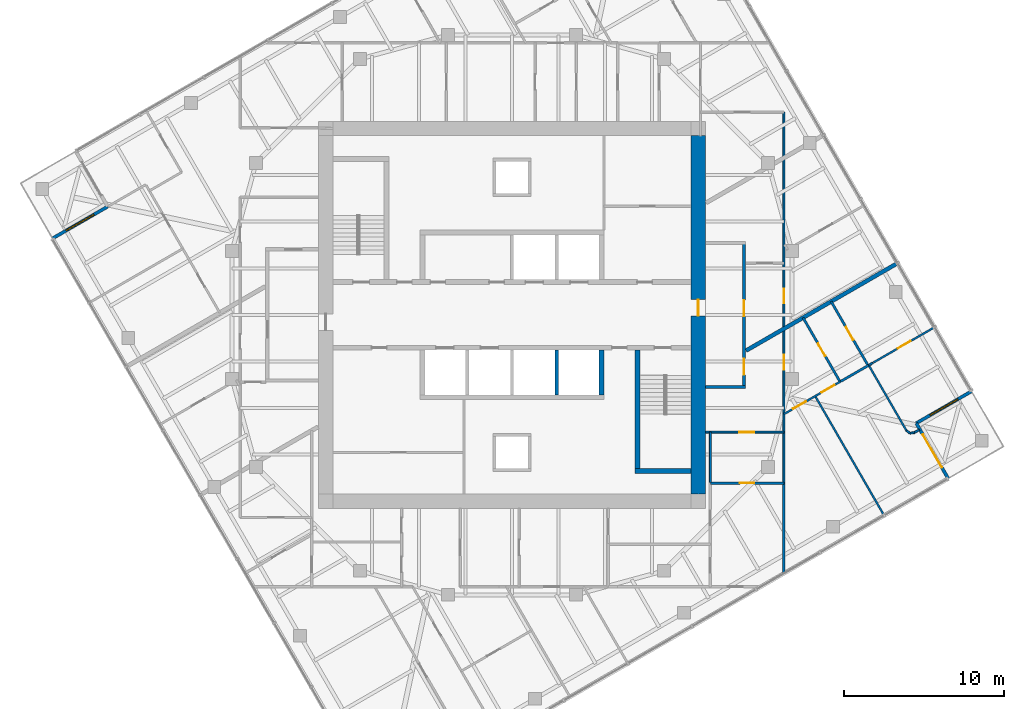
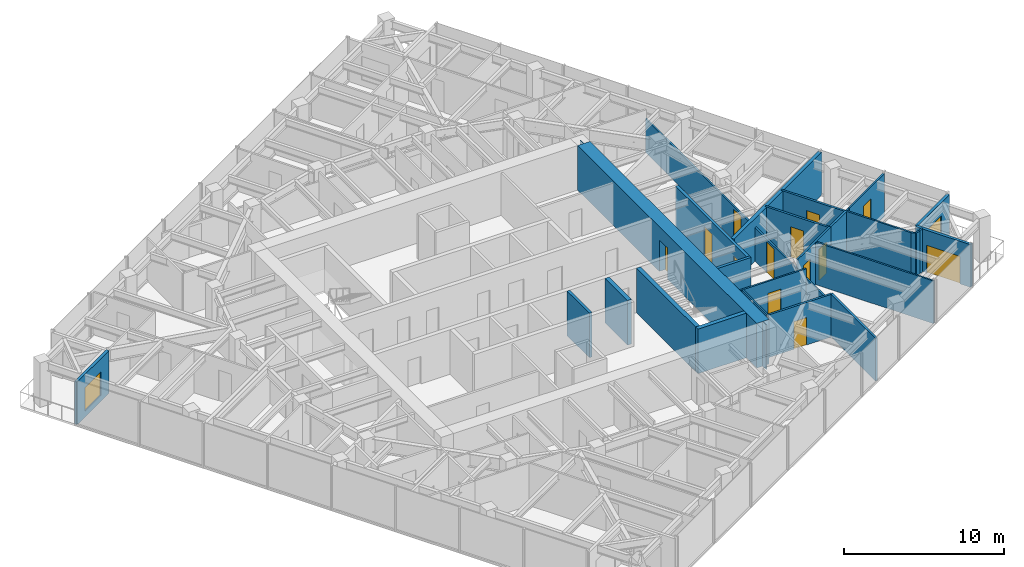
# One storey, part 9 of 12: 27 walls, 13 doors, 2 windows, 15 openings.
"""IFC4 building model written with IfcOpenShell, lengths in metres."""

from ifc_helpers import new_model, si_unit, direction, frame, frame_2d, origin, place, context, subcontext, project, spatial, polyline, rectangle, outline, extrude, material, layer, layer_set, type_object, element, fill, save


model = new_model("IFC4")

# Units and contexts
model_context = context("Model", 3, precision=1e-05, world=origin(), true_north=direction((0.0, 1.0)))
body_context = subcontext(model_context, "Body", "Model", "MODEL_VIEW")
ifc_project = project(units=[si_unit("LENGTHUNIT", "METRE"), si_unit("AREAUNIT", "SQUARE_METRE"), si_unit("VOLUMEUNIT", "CUBIC_METRE"), si_unit("PLANEANGLEUNIT", "RADIAN"), si_unit("MASSUNIT", "GRAM", prefix="KILO")], contexts=[model_context])

# Site, building, storey
site_placement = place(None, origin())
site = spatial("IfcSite", under=ifc_project, at=site_placement, CompositionType="ELEMENT")
building_placement = place(site_placement, origin())
building = spatial("IfcBuilding", under=site, at=building_placement, Name="Torsade Residences", CompositionType="ELEMENT")
storey_placement = place(building_placement, frame((0.0, 0.0, 211.60009765625)))
storey = spatial("IfcBuildingStorey", under=building, at=storey_placement, Name="L58", CompositionType="ELEMENT", Elevation=211.60009765625)

# Walls
ifc_material_1 = material(Name="Concrete 80 MPa", Category="concrete")
ifc_layer_1 = layer(ifc_material_1, 0.300048828125)
ifc_layer_set_1 = layer_set([ifc_layer_1], Name="Concrete 80 MPa")
wall_type_1 = type_object("IfcWallType", Name="CORE INTERNAL WALL 300", PredefinedType="SHEAR", material=ifc_layer_set_1)
wall_1_placement = place(storey_placement, frame((45.60009765625, 27.800048828125, 0.0), z_axis=(0.0, 0.0, 1.0), x_axis=(0.0, -1.0, 0.0)))
element("IfcWall", 1, at=wall_1_placement, inside=storey, type_object=wall_type_1, Name="Core wall DS0 L58", PredefinedType="SHEAR", context=body_context, shape_type="SweptSolid", body=[
    extrude(rectangle(XDim=2.800048828125, YDim=0.300048828125, at=frame_2d((1.39990234375, 0.0))), origin(), (0.0, 0.0, 1.0), 3.39990234375),
])
wall_2_placement = place(storey_placement, frame((47.85009765625, 27.800048828125, 0.0), z_axis=(0.0, 0.0, 1.0), x_axis=(0.0, -1.0, 0.0)))
element("IfcWall", 2, at=wall_2_placement, inside=storey, type_object=wall_type_1, Name="Core wall ST2W L58", PredefinedType="SHEAR", context=body_context, shape_type="SweptSolid", body=[
    extrude(rectangle(XDim=7.699951171875, YDim=0.300048828125, at=frame_2d((3.85009765625, 0.0))), origin(), (0.0, 0.0, 1.0), 3.39990234375),
])
wall_3_placement = place(storey_placement, frame((51.199951171875, 20.25, 0.0), z_axis=(0.0, 0.0, 1.0), x_axis=(-1.0, 0.0, 0.0)))
element("IfcWall", 3, at=wall_3_placement, inside=storey, type_object=wall_type_1, Name="Core wall ST2S L58", PredefinedType="SHEAR", context=body_context, shape_type="SweptSolid", body=[
    extrude(rectangle(XDim=3.5, YDim=0.300048828125, at=frame_2d((1.75, 0.0))), origin(), (0.0, 0.0, 1.0), 3.39990234375),
])

# Wall, opening, door
ifc_material_2 = material(Name="Concrete 80 MPa", Category="concrete")
ifc_layer_2 = layer(ifc_material_2, 0.89990234375)
ifc_layer_set_2 = layer_set([ifc_layer_2], Name="Concrete 80 MPa")
wall_type_2 = type_object("IfcWallType", Name="CORE WALL 900", PredefinedType="SHEAR", material=ifc_layer_set_2)
wall_4_placement = place(storey_placement, frame((51.64990234375, 18.800048828125, 0.0), z_axis=(0.0, 0.0, 1.0), x_axis=(0.0, 1.0, 0.0)))
wall_4 = element("IfcWall", 4, at=wall_4_placement, inside=storey, type_object=wall_type_2, Name="Core wall E L58", PredefinedType="SHEAR", context=body_context, shape_type="SweptSolid", body=[
    extrude(outline(polyline([(0.0, -0.449951171875), (22.39990234375, -0.449951171875), (22.39990234375, -0.02490234375), (22.849853515625, -0.02490234375), (22.849853515625, 0.02490234375), (22.39990234375, 0.02490234375), (22.39990234375, 0.449951171875), (0.0, 0.449951171875), (0.0, 0.02490234375), (-0.449951171875, 0.02490234375), (-0.449951171875, -0.02490234375), (0.0, -0.02490234375), (0.0, -0.449951171875)])), origin(), (0.0, 0.0, 1.0), 3.39990234375),
])
opening_1_placement = place(wall_4_placement, frame((11.139892578125, 0.0, 0.0)))
opening_1 = element("IfcOpeningElement", 5, at=opening_1_placement, cuts=wall_4, Name="Opening D04", PredefinedType="OPENING", context=body_context, shape_type="SweptSolid", body=[
    extrude(rectangle(XDim=1.02001953125, YDim=2.39990234375, at=frame_2d((0.510009765625, 1.199951171875))), frame((0.0, 0.4599609375, 0.0), z_axis=(0.0, -1.0, 0.0), x_axis=(1.0, 0.0, 0.0)), (0.0, 0.0, 1.0), 0.919921875),
])
ifc_material_3 = material(Name="Steel-framed fire door", Category="steel")
door_type_1 = type_object("IfcDoorType", Name="LOBBY SMOKE DOOR 1020x2400", OperationType="NOTDEFINED", PredefinedType="DOOR", material=ifc_material_3)
door_1_placement = place(opening_1_placement, origin())
door_1 = element("IfcDoor", 6, at=door_1_placement, inside=storey, type_object=door_type_1, Name="Lift lobby door E L58", OperationType="SINGLE_SWING_LEFT", OverallHeight=2.39990234375, OverallWidth=1.02001953125, PredefinedType="DOOR", context=body_context, shape_type="SweptSolid", body=[
    extrude(rectangle(XDim=1.02001953125, YDim=2.39990234375, at=frame_2d((0.510009765625, 1.199951171875))), frame((0.0, 0.02490234375, 0.0), z_axis=(0.0, -1.0, 0.0), x_axis=(1.0, 0.0, 0.0)), (0.0, 0.0, 1.0), 0.050048828125),
])
fill(opening_1, door_1)

# Wall, openings, doors
ifc_material_4 = material(Name="Plasterboard on steel stud", Category="steel")
ifc_layer_3 = layer(ifc_material_4, 0.199951171875)
ifc_layer_set_3 = layer_set([ifc_layer_3], Name="Plasterboard on steel stud")
wall_type_3 = type_object("IfcWallType", Name="CORRIDOR WALL 200", PredefinedType="PARTITIONING", material=ifc_layer_set_3)
wall_5_placement = place(storey_placement, frame((54.5, 25.5, 0.0), z_axis=(0.0, 0.0, 1.0), x_axis=(0.0, 1.0, 0.0)))
wall_5 = element("IfcWall", 7, at=wall_5_placement, inside=storey, type_object=wall_type_3, Name="Corridor wall L58", PredefinedType="PARTITIONING", context=body_context, shape_type="SweptSolid", body=[
    extrude(rectangle(XDim=9.0, YDim=0.199951171875, at=frame_2d((4.5, 0.0))), origin(), (0.0, 0.0, 1.0), 3.25),
])
opening_2_placement = place(wall_5_placement, frame((4.405517578125, 0.0, 0.0)))
opening_2 = element("IfcOpeningElement", 8, at=opening_2_placement, cuts=wall_5, Name="Opening D01", PredefinedType="OPENING", context=body_context, shape_type="SweptSolid", body=[
    extrude(rectangle(XDim=1.02001953125, YDim=2.340087890625, at=frame_2d((0.510009765625, 1.169921875))), frame((0.0, 0.10986328125, 0.0), z_axis=(0.0, -1.0, 0.0), x_axis=(1.0, 0.0, 0.0)), (0.0, 0.0, 1.0), 0.219970703125),
])
opening_3_placement = place(wall_5_placement, frame((0.750732421875, 0.0, 0.0)))
opening_3 = element("IfcOpeningElement", 9, at=opening_3_placement, cuts=wall_5, Name="Opening D01", PredefinedType="OPENING", context=body_context, shape_type="SweptSolid", body=[
    extrude(rectangle(XDim=1.02001953125, YDim=2.340087890625, at=frame_2d((0.510009765625, 1.169921875))), frame((0.0, 0.10986328125, 0.0), z_axis=(0.0, -1.0, 0.0), x_axis=(1.0, 0.0, 0.0)), (0.0, 0.0, 1.0), 0.219970703125),
])
ifc_material_5 = material(Name="Solid-core timber fire door", Category="wood")
door_type_2 = type_object("IfcDoorType", Name="APARTMENT ENTRY DOOR 1020x2340", OperationType="NOTDEFINED", PredefinedType="DOOR", material=ifc_material_5)
door_2_placement = place(opening_2_placement, origin())
door_2 = element("IfcDoor", 10, at=door_2_placement, inside=storey, type_object=door_type_2, Name="Door Residential corridor to Kitchen and dining", OperationType="SINGLE_SWING_LEFT", OverallHeight=2.340087890625, OverallWidth=1.02001953125, PredefinedType="DOOR", context=body_context, shape_type="SweptSolid", body=[
    extrude(rectangle(XDim=1.02001953125, YDim=2.340087890625, at=frame_2d((0.510009765625, 1.169921875))), frame((0.0, 0.02490234375, 0.0), z_axis=(0.0, -1.0, 0.0), x_axis=(1.0, 0.0, 0.0)), (0.0, 0.0, 1.0), 0.050048828125),
])
fill(opening_2, door_2)
door_3_placement = place(opening_3_placement, origin())
door_3 = element("IfcDoor", 11, at=door_3_placement, inside=storey, type_object=door_type_2, Name="Door Residential corridor to Kitchen and dining", OperationType="SINGLE_SWING_LEFT", OverallHeight=2.340087890625, OverallWidth=1.02001953125, PredefinedType="DOOR", context=body_context, shape_type="SweptSolid", body=[
    extrude(rectangle(XDim=1.02001953125, YDim=2.340087890625, at=frame_2d((0.510009765625, 1.169921875))), frame((0.0, 0.02490234375, 0.0), z_axis=(0.0, -1.0, 0.0), x_axis=(1.0, 0.0, 0.0)), (0.0, 0.0, 1.0), 0.050048828125),
])
fill(opening_3, door_3)

# Walls
wall_6_placement = place(storey_placement, frame((52.10009765625, 25.5, 0.0), z_axis=(0.0, 0.0, 1.0), x_axis=(1.0, 0.0, 0.0)))
element("IfcWall", 12, at=wall_6_placement, inside=storey, type_object=wall_type_3, Name="Corridor wall L58", PredefinedType="PARTITIONING", context=body_context, shape_type="SweptSolid", body=[
    extrude(rectangle(XDim=2.5, YDim=0.199951171875, at=frame_2d((1.25, 0.0))), origin(), (0.0, 0.0, 1.0), 3.25),
])
ifc_material_6 = material(Name="Reinforced blockwork", Category="masonry")
ifc_layer_4 = layer(ifc_material_6, 0.199951171875)
ifc_layer_set_4 = layer_set([ifc_layer_4], Name="Reinforced blockwork")
wall_type_4 = type_object("IfcWallType", Name="LIFT SHAFT DIVIDING WALL 200", PredefinedType="SOLIDWALL", material=ifc_layer_set_4)
wall_7_placement = place(storey_placement, frame((42.800048828125, 27.800048828125, 0.0), z_axis=(0.0, 0.0, 1.0), x_axis=(0.0, -1.0, 0.0)))
element("IfcWall", 13, at=wall_7_placement, inside=storey, type_object=wall_type_4, Name="Core wall DS1 L58", PredefinedType="SOLIDWALL", context=body_context, shape_type="SweptSolid", body=[
    extrude(rectangle(XDim=2.800048828125, YDim=0.199951171875, at=frame_2d((1.39990234375, 0.0))), origin(), (0.0, 0.0, 1.0), 3.39990234375),
])

# Wall, opening, door
ifc_material_7 = material(Name="Plasterboard on steel stud", Category="steel")
ifc_layer_5 = layer(ifc_material_7, 0.1201171875)
ifc_layer_set_5 = layer_set([ifc_layer_5], Name="Plasterboard on steel stud")
wall_type_5 = type_object("IfcWallType", Name="PARTITION 120", PredefinedType="PARTITIONING", material=ifc_layer_set_5)
wall_8_placement = place(storey_placement, frame((57.0, 22.66650390625, 0.0), z_axis=(0.0, 0.0, 1.0), x_axis=(-1.0, 0.0, 0.0)))
wall_8 = element("IfcWall", 14, at=wall_8_placement, inside=storey, type_object=wall_type_5, Name="Partition L58", PredefinedType="PARTITIONING", context=body_context, shape_type="SweptSolid", body=[
    extrude(rectangle(XDim=4.89990234375, YDim=0.1201171875, at=frame_2d((2.449951171875, 0.0))), origin(), (0.0, 0.0, 1.0), 3.25),
])
opening_4_placement = place(wall_8_placement, frame((1.865966796875, 0.0, 0.0)))
opening_4 = element("IfcOpeningElement", 15, at=opening_4_placement, cuts=wall_8, Name="Opening D02", PredefinedType="OPENING", context=body_context, shape_type="SweptSolid", body=[
    extrude(rectangle(XDim=0.919921875, YDim=2.340087890625, at=frame_2d((0.4599609375, 1.169921875))), frame((0.0, 0.070068359375, 0.0), z_axis=(0.0, -1.0, 0.0), x_axis=(1.0, 0.0, 0.0)), (0.0, 0.0, 1.0), 0.14013671875),
])
ifc_material_8 = material(Name="Hollow-core timber door", Category="wood")
door_type_3 = type_object("IfcDoorType", Name="INTERNAL DOOR 920x2340", OperationType="NOTDEFINED", PredefinedType="DOOR", material=ifc_material_8)
door_4_placement = place(opening_4_placement, origin())
door_4 = element("IfcDoor", 16, at=door_4_placement, inside=storey, type_object=door_type_3, Name="Door Kitchen and dining to Walk-in robe", OperationType="SINGLE_SWING_RIGHT", OverallHeight=2.340087890625, OverallWidth=0.919921875, PredefinedType="DOOR", context=body_context, shape_type="SweptSolid", body=[
    extrude(rectangle(XDim=0.919921875, YDim=2.340087890625, at=frame_2d((0.4599609375, 1.169921875))), frame((0.0, 0.02490234375, 0.0), z_axis=(0.0, -1.0, 0.0), x_axis=(1.0, 0.0, 0.0)), (0.0, 0.0, 1.0), 0.050048828125),
])
fill(opening_4, door_4)

# Wall, openings, doors
wall_9_placement = place(storey_placement, frame((57.0, 42.67578125, 0.0), z_axis=(0.0, 0.0, 1.0), x_axis=(0.0, -1.0, 0.0)))
wall_9 = element("IfcWall", 17, at=wall_9_placement, inside=storey, type_object=wall_type_5, Name="Partition L58", PredefinedType="PARTITIONING", context=body_context, shape_type="SweptSolid", body=[
    extrude(rectangle(XDim=23.189697265625, YDim=0.1201171875, at=frame_2d((11.5947265625, 0.0))), origin(), (0.0, 0.0, 1.0), 2.5498046875),
])
opening_5_placement = place(wall_9_placement, frame((11.0302734375, 0.0, 0.0)))
opening_5 = element("IfcOpeningElement", 18, at=opening_5_placement, cuts=wall_9, Name="Opening D02", PredefinedType="OPENING", context=body_context, shape_type="SweptSolid", body=[
    extrude(rectangle(XDim=0.919921875, YDim=2.340087890625, at=frame_2d((0.4599609375, 1.169921875))), frame((0.0, 0.070068359375, 0.0), z_axis=(0.0, -1.0, 0.0), x_axis=(1.0, 0.0, 0.0)), (0.0, 0.0, 1.0), 0.14013671875),
])
opening_6_placement = place(wall_9_placement, frame((15.180908203125, 0.0, 0.0)))
opening_6 = element("IfcOpeningElement", 19, at=opening_6_placement, cuts=wall_9, Name="Opening D02", PredefinedType="OPENING", context=body_context, shape_type="SweptSolid", body=[
    extrude(rectangle(XDim=0.919921875, YDim=2.340087890625, at=frame_2d((0.4599609375, 1.169921875))), frame((0.0, 0.070068359375, 0.0), z_axis=(0.0, -1.0, 0.0), x_axis=(1.0, 0.0, 0.0)), (0.0, 0.0, 1.0), 0.14013671875),
])
door_5_placement = place(opening_5_placement, origin())
door_5 = element("IfcDoor", 20, at=door_5_placement, inside=storey, type_object=door_type_3, Name="Door Kitchen and dining to Living room", OperationType="SINGLE_SWING_RIGHT", OverallHeight=2.340087890625, OverallWidth=0.919921875, PredefinedType="DOOR", context=body_context, shape_type="SweptSolid", body=[
    extrude(rectangle(XDim=0.919921875, YDim=2.340087890625, at=frame_2d((0.4599609375, 1.169921875))), frame((0.0, 0.02490234375, 0.0), z_axis=(0.0, -1.0, 0.0), x_axis=(1.0, 0.0, 0.0)), (0.0, 0.0, 1.0), 0.050048828125),
])
fill(opening_5, door_5)
door_6_placement = place(opening_6_placement, origin())
door_6 = element("IfcDoor", 21, at=door_6_placement, inside=storey, type_object=door_type_3, Name="Door Kitchen and dining to Walk-in robe 3", OperationType="SINGLE_SWING_RIGHT", OverallHeight=2.340087890625, OverallWidth=0.919921875, PredefinedType="DOOR", context=body_context, shape_type="SweptSolid", body=[
    extrude(rectangle(XDim=0.919921875, YDim=2.340087890625, at=frame_2d((0.4599609375, 1.169921875))), frame((0.0, 0.02490234375, 0.0), z_axis=(0.0, -1.0, 0.0), x_axis=(1.0, 0.0, 0.0)), (0.0, 0.0, 1.0), 0.050048828125),
])
fill(opening_6, door_6)

# Walls
wall_10_placement = place(storey_placement, frame((52.398193359375, 22.66650390625, 0.0), z_axis=(0.0, 0.0, 1.0), x_axis=(0.0, -1.0, 0.0)))
element("IfcWall", 22, at=wall_10_placement, inside=storey, type_object=wall_type_5, Name="Partition L58", PredefinedType="PARTITIONING", context=body_context, shape_type="SweptSolid", body=[
    extrude(rectangle(XDim=3.130615234375, YDim=0.1201171875, at=frame_2d((1.5654296875, 0.0))), origin(), (0.0, 0.0, 1.0), 3.25),
])
wall_11_placement = place(storey_placement, frame((63.24609375, 17.486572265625, 0.0), z_axis=(0.0, 0.0, 1.0), x_axis=(-0.49999898161, 0.866025991751, 0.0)))
element("IfcWall", 23, at=wall_11_placement, inside=storey, type_object=wall_type_5, Name="Partition L58", PredefinedType="PARTITIONING", context=body_context, shape_type="SweptSolid", body=[
    extrude(rectangle(XDim=8.5849609375, YDim=0.1201171875, at=frame_2d((4.29248046875, 0.0))), origin(), (0.0, 0.0, 1.0), 3.25),
])

# Wall, openings, doors
wall_12_placement = place(storey_placement, frame((57.0, 23.79345703125, 0.0), z_axis=(0.0, 0.0, 1.0), x_axis=(0.866007146345, 0.50003162148, 0.0)))
wall_12 = element("IfcWall", 24, at=wall_12_placement, inside=storey, type_object=wall_type_5, Name="Partition L58", PredefinedType="PARTITIONING", context=body_context, shape_type="SweptSolid", body=[
    extrude(rectangle(XDim=4.101318359375, YDim=0.1201171875, at=frame_2d((2.05078125, 0.0))), origin(), (0.0, 0.0, 1.0), 3.25),
])
opening_7_placement = place(wall_12_placement, frame((0.66796875, 0.0, 0.0)))
opening_7 = element("IfcOpeningElement", 25, at=opening_7_placement, cuts=wall_12, Name="Opening D02", PredefinedType="OPENING", context=body_context, shape_type="SweptSolid", body=[
    extrude(rectangle(XDim=0.919921875, YDim=2.340087890625, at=frame_2d((0.4599609375, 1.169921875))), frame((0.0, 0.070068359375, 0.0), z_axis=(0.0, -1.0, 0.0), x_axis=(1.0, 0.0, 0.0)), (0.0, 0.0, 1.0), 0.14013671875),
])
opening_8_placement = place(wall_12_placement, frame((2.718505859375, 0.0, 0.0)))
opening_8 = element("IfcOpeningElement", 26, at=opening_8_placement, cuts=wall_12, Name="Opening D02", PredefinedType="OPENING", context=body_context, shape_type="SweptSolid", body=[
    extrude(rectangle(XDim=0.919921875, YDim=2.340087890625, at=frame_2d((0.4599609375, 1.169921875))), frame((0.0, 0.070068359375, 0.0), z_axis=(0.0, -1.0, 0.0), x_axis=(1.0, 0.0, 0.0)), (0.0, 0.0, 1.0), 0.14013671875),
])
door_7_placement = place(opening_7_placement, origin())
door_7 = element("IfcDoor", 27, at=door_7_placement, inside=storey, type_object=door_type_3, Name="Door Walk-in robe 3 to Bedroom 2", OperationType="SINGLE_SWING_LEFT", OverallHeight=2.340087890625, OverallWidth=0.919921875, PredefinedType="DOOR", context=body_context, shape_type="SweptSolid", body=[
    extrude(rectangle(XDim=0.919921875, YDim=2.340087890625, at=frame_2d((0.4599609375, 1.169921875))), frame((0.0, 0.02490234375, 0.0), z_axis=(0.0, -1.0, 0.0), x_axis=(1.0, 0.0, 0.0)), (0.0, 0.0, 1.0), 0.050048828125),
])
fill(opening_7, door_7)
door_8_placement = place(opening_8_placement, origin())
door_8 = element("IfcDoor", 28, at=door_8_placement, inside=storey, type_object=door_type_3, Name="Door Walk-in robe 3 to Bedroom 1", OperationType="SINGLE_SWING_RIGHT", OverallHeight=2.340087890625, OverallWidth=0.919921875, PredefinedType="DOOR", context=body_context, shape_type="SweptSolid", body=[
    extrude(rectangle(XDim=0.919921875, YDim=2.340087890625, at=frame_2d((0.4599609375, 1.169921875))), frame((0.0, 0.02490234375, 0.0), z_axis=(0.0, -1.0, 0.0), x_axis=(1.0, 0.0, 0.0)), (0.0, 0.0, 1.0), 0.050048828125),
])
fill(opening_8, door_8)

# Walls
wall_13_placement = place(storey_placement, frame((62.298583984375, 26.8525390625, 0.0), z_axis=(0.0, 0.0, 1.0), x_axis=(0.500006955494, -0.866021387991, 0.0)))
element("IfcWall", 29, at=wall_13_placement, inside=storey, type_object=wall_type_5, Name="Partition L58", PredefinedType="PARTITIONING", context=body_context, shape_type="SweptSolid", body=[
    extrude(rectangle(XDim=4.70458984375, YDim=0.1201171875, at=frame_2d((2.352294921875, 0.0))), origin(), (0.0, 0.0, 1.0), 3.25),
])
wall_14_placement = place(storey_placement, frame((64.65087890625, 22.7783203125, 0.0), z_axis=(0.0, 0.0, 1.0), x_axis=(0.793231928283, -0.608919623557, 0.0)))
element("IfcWall", 30, at=wall_14_placement, inside=storey, type_object=wall_type_5, Name="Partition L58", PredefinedType="PARTITIONING", context=body_context, shape_type="SweptSolid", body=[
    extrude(rectangle(XDim=0.283447265625, YDim=0.1201171875, at=frame_2d((0.1416015625, 0.0))), origin(), (0.0, 0.0, 1.0), 3.25),
])
wall_15_placement = place(storey_placement, frame((64.875732421875, 22.605712890625, 0.0), z_axis=(0.0, 0.0, 1.0), x_axis=(0.991407364485, 0.130810693925, 0.0)))
element("IfcWall", 31, at=wall_15_placement, inside=storey, type_object=wall_type_5, Name="Partition L58", PredefinedType="PARTITIONING", context=body_context, shape_type="SweptSolid", body=[
    extrude(rectangle(XDim=0.28369140625, YDim=0.1201171875, at=frame_2d((0.141845703125, 0.0))), origin(), (0.0, 0.0, 1.0), 3.25),
])
wall_16_placement = place(storey_placement, frame((65.156982421875, 22.642822265625, 0.0), z_axis=(0.0, 0.0, 1.0), x_axis=(0.866058575552, 0.499942540411, 0.0)))
element("IfcWall", 32, at=wall_16_placement, inside=storey, type_object=wall_type_5, Name="Partition L58", PredefinedType="PARTITIONING", context=body_context, shape_type="SweptSolid", body=[
    extrude(rectangle(XDim=0.35205078125, YDim=0.1201171875, at=frame_2d((0.176025390625, 0.0))), origin(), (0.0, 0.0, 1.0), 3.25),
])
wall_17_placement = place(storey_placement, frame((62.5546875, 27.00048828125, 0.0), z_axis=(0.0, 0.0, 1.0), x_axis=(-0.865896854829, -0.500222587251, 0.0)))
element("IfcWall", 33, at=wall_17_placement, inside=storey, type_object=wall_type_5, Name="Partition L58", PredefinedType="PARTITIONING", context=body_context, shape_type="SweptSolid", body=[
    extrude(rectangle(XDim=0.295654296875, YDim=0.1201171875, at=frame_2d((0.14794921875, 0.0))), origin(), (0.0, 0.0, 1.0), 3.25),
])

# Wall, opening, door
wall_18_placement = place(storey_placement, frame((66.388427734375, 29.2138671875, 0.0), z_axis=(0.0, 0.0, 1.0), x_axis=(-0.866032173762, -0.499988273872, 0.0)))
wall_18 = element("IfcWall", 34, at=wall_18_placement, inside=storey, type_object=wall_type_5, Name="Partition L58", PredefinedType="PARTITIONING", context=body_context, shape_type="SweptSolid", body=[
    extrude(rectangle(XDim=4.37255859375, YDim=0.1201171875, at=frame_2d((2.186279296875, 0.0))), origin(), (0.0, 0.0, 1.0), 3.25),
])
opening_9_placement = place(wall_18_placement, frame((1.706298828125, 0.0, 0.0)))
opening_9 = element("IfcOpeningElement", 35, at=opening_9_placement, cuts=wall_18, Name="Opening D02", PredefinedType="OPENING", context=body_context, shape_type="SweptSolid", body=[
    extrude(rectangle(XDim=0.919921875, YDim=2.340087890625, at=frame_2d((0.4599609375, 1.169921875))), frame((0.0, 0.070068359375, 0.0), z_axis=(0.0, -1.0, 0.0), x_axis=(1.0, 0.0, 0.0)), (0.0, 0.0, 1.0), 0.14013671875),
])
door_9_placement = place(opening_9_placement, origin())
door_9 = element("IfcDoor", 36, at=door_9_placement, inside=storey, type_object=door_type_3, Name="Door Family room to Family room 2", OperationType="SINGLE_SWING_RIGHT", OverallHeight=2.340087890625, OverallWidth=0.919921875, PredefinedType="DOOR", context=body_context, shape_type="SweptSolid", body=[
    extrude(rectangle(XDim=0.919921875, YDim=2.340087890625, at=frame_2d((0.4599609375, 1.169921875))), frame((0.0, 0.02490234375, 0.0), z_axis=(0.0, -1.0, 0.0), x_axis=(1.0, 0.0, 0.0)), (0.0, 0.0, 1.0), 0.050048828125),
])
fill(opening_9, door_9)

# Wall
ifc_material_9 = material(Name="Masonry-lined stud party wall", Category="masonry")
ifc_layer_6 = layer(ifc_material_9, 0.25)
ifc_layer_set_6 = layer_set([ifc_layer_6], Name="Masonry-lined stud party wall")
wall_type_6 = type_object("IfcWallType", Name="PARTY WALL 250", PredefinedType="PARTITIONING", material=ifc_layer_set_6)
wall_19_placement = place(storey_placement, frame((64.110595703125, 33.2392578125, 0.0), z_axis=(0.0, 0.0, 1.0), x_axis=(-0.866024069551, -0.500002310952, 0.0)))
element("IfcWall", 37, at=wall_19_placement, inside=storey, type_object=wall_type_6, Name="Party wall L58", PredefinedType="PARTITIONING", context=body_context, shape_type="SweptSolid", body=[
    extrude(rectangle(XDim=10.94970703125, YDim=0.25, at=frame_2d((5.474853515625, 0.0))), origin(), (0.0, 0.0, 1.0), 3.25),
])

# Wall, opening, door
ifc_material_10 = material(Name="Reinforced blockwork", Category="masonry")
ifc_layer_7 = layer(ifc_material_10, 0.14990234375)
ifc_layer_set_7 = layer_set([ifc_layer_7], Name="Reinforced blockwork")
wall_type_7 = type_object("IfcWallType", Name="SERVICE ROOM WALL 150", PredefinedType="SOLIDWALL", material=ifc_layer_set_7)
wall_20_placement = place(storey_placement, frame((57.0, 19.486083984375, 0.0), z_axis=(0.0, 0.0, 1.0), x_axis=(-1.0, 0.0, 0.0)))
wall_20 = element("IfcWall", 38, at=wall_20_placement, inside=storey, type_object=wall_type_7, Name="Service room wall L58", PredefinedType="SOLIDWALL", context=body_context, shape_type="SweptSolid", body=[
    extrude(rectangle(XDim=4.601806640625, YDim=0.14990234375, at=frame_2d((2.30078125, 0.0))), origin(), (0.0, 0.0, 1.0), 3.25),
])
opening_10_placement = place(wall_20_placement, frame((1.8408203125, 0.0, 0.0)))
opening_10 = element("IfcOpeningElement", 39, at=opening_10_placement, cuts=wall_20, Name="Opening D02L", PredefinedType="OPENING", context=body_context, shape_type="SweptSolid", body=[
    extrude(rectangle(XDim=0.919921875, YDim=2.10009765625, at=frame_2d((0.4599609375, 1.050048828125))), frame((0.0, 0.0849609375, 0.0), z_axis=(0.0, -1.0, 0.0), x_axis=(1.0, 0.0, 0.0)), (0.0, 0.0, 1.0), 0.169921875),
])
ifc_material_11 = material(Name="Hollow-core timber door", Category="wood")
door_type_4 = type_object("IfcDoorType", Name="INTERNAL DOOR 920x2100", OperationType="NOTDEFINED", PredefinedType="DOOR", material=ifc_material_11)
door_10_placement = place(opening_10_placement, origin())
door_10 = element("IfcDoor", 40, at=door_10_placement, inside=storey, type_object=door_type_4, Name="Door Walk-in robe to Linen store 4", OperationType="SINGLE_SWING_RIGHT", OverallHeight=2.10009765625, OverallWidth=0.919921875, PredefinedType="DOOR", context=body_context, shape_type="SweptSolid", body=[
    extrude(rectangle(XDim=0.919921875, YDim=2.10009765625, at=frame_2d((0.4599609375, 1.050048828125))), frame((0.0, 0.02490234375, 0.0), z_axis=(0.0, -1.0, 0.0), x_axis=(1.0, 0.0, 0.0)), (0.0, 0.0, 1.0), 0.050048828125),
])
fill(opening_10, door_10)

# Walls
wall_21_placement = place(storey_placement, frame((60.5517578125, 25.84423828125, 0.0), z_axis=(0.0, 0.0, 1.0), x_axis=(0.866074730264, 0.499914554297, 0.0)))
element("IfcWall", 41, at=wall_21_placement, inside=storey, type_object=wall_type_7, Name="Service room wall L58", PredefinedType="SOLIDWALL", context=body_context, shape_type="SweptSolid", body=[
    extrude(rectangle(XDim=2.016845703125, YDim=0.14990234375, at=frame_2d((1.00830078125, 0.0))), origin(), (0.0, 0.0, 1.0), 3.25),
])
wall_22_placement = place(storey_placement, frame((56.99951171875, 13.880126953125, 0.0), z_axis=(0.0, 0.0, 1.0), x_axis=(4.3550213e-05, 0.999999999052, 0.0)))
element("IfcWall", 42, at=wall_22_placement, inside=storey, type_object=wall_type_7, Name="Service room wall L58", PredefinedType="SOLIDWALL", context=body_context, shape_type="SweptSolid", body=[
    extrude(rectangle(XDim=5.60595703125, YDim=0.14990234375, at=frame_2d((2.802978515625, 0.0))), origin(), (0.0, 0.0, 1.0), 3.25),
])

# Wall, opening, door
wall_23_placement = place(storey_placement, frame((62.2626953125, 26.83203125, 0.0), z_axis=(0.0, 0.0, 1.0), x_axis=(-0.499999662836, 0.866025598446, 0.0)))
wall_23 = element("IfcWall", 43, at=wall_23_placement, inside=storey, type_object=wall_type_7, Name="Service room wall L58", PredefinedType="SOLIDWALL", context=body_context, shape_type="SweptSolid", body=[
    extrude(rectangle(XDim=4.625, YDim=0.14990234375, at=frame_2d((2.3125, 0.0))), origin(), (0.0, 0.0, 1.0), 3.25),
])
opening_11_placement = place(wall_23_placement, frame((1.8525390625, 0.0, 0.0)))
opening_11 = element("IfcOpeningElement", 44, at=opening_11_placement, cuts=wall_23, Name="Opening D02", PredefinedType="OPENING", context=body_context, shape_type="SweptSolid", body=[
    extrude(rectangle(XDim=0.919921875, YDim=2.340087890625, at=frame_2d((0.4599609375, 1.169921875))), frame((0.0, 0.0849609375, 0.0), z_axis=(0.0, -1.0, 0.0), x_axis=(1.0, 0.0, 0.0)), (0.0, 0.0, 1.0), 0.169921875),
])
door_11_placement = place(opening_11_placement, origin())
door_11 = element("IfcDoor", 45, at=door_11_placement, inside=storey, type_object=door_type_3, Name="Door Linen store 3 to Family room", OperationType="SINGLE_SWING_RIGHT", OverallHeight=2.340087890625, OverallWidth=0.919921875, PredefinedType="DOOR", context=body_context, shape_type="SweptSolid", body=[
    extrude(rectangle(XDim=0.919921875, YDim=2.340087890625, at=frame_2d((0.4599609375, 1.169921875))), frame((0.0, 0.02490234375, 0.0), z_axis=(0.0, -1.0, 0.0), x_axis=(1.0, 0.0, 0.0)), (0.0, 0.0, 1.0), 0.050048828125),
])
fill(opening_11, door_11)

wall_24_placement = place(storey_placement, frame((58.196044921875, 29.824462890625, 0.0), z_axis=(0.0, 0.0, 1.0), x_axis=(0.499999662836, -0.866025598446, 0.0)))
wall_24 = element("IfcWall", 46, at=wall_24_placement, inside=storey, type_object=wall_type_7, Name="Service room wall L58", PredefinedType="SOLIDWALL", context=body_context, shape_type="SweptSolid", body=[
    extrude(rectangle(XDim=4.625, YDim=0.14990234375, at=frame_2d((2.3125, 0.0))), origin(), (0.0, 0.0, 1.0), 3.25),
])
opening_12_placement = place(wall_24_placement, frame((1.8525390625, 0.0, 0.0)))
opening_12 = element("IfcOpeningElement", 47, at=opening_12_placement, cuts=wall_24, Name="Opening D02", PredefinedType="OPENING", context=body_context, shape_type="SweptSolid", body=[
    extrude(rectangle(XDim=0.919921875, YDim=2.340087890625, at=frame_2d((0.4599609375, 1.169921875))), frame((0.0, 0.0849609375, 0.0), z_axis=(0.0, -1.0, 0.0), x_axis=(1.0, 0.0, 0.0)), (0.0, 0.0, 1.0), 0.169921875),
])
door_12_placement = place(opening_12_placement, origin())
door_12 = element("IfcDoor", 48, at=door_12_placement, inside=storey, type_object=door_type_3, Name="Door Walk-in robe 3 to Linen store 3", OperationType="SINGLE_SWING_LEFT", OverallHeight=2.340087890625, OverallWidth=0.919921875, PredefinedType="DOOR", context=body_context, shape_type="SweptSolid", body=[
    extrude(rectangle(XDim=0.919921875, YDim=2.340087890625, at=frame_2d((0.4599609375, 1.169921875))), frame((0.0, 0.02490234375, 0.0), z_axis=(0.0, -1.0, 0.0), x_axis=(1.0, 0.0, 0.0)), (0.0, 0.0, 1.0), 0.050048828125),
])
fill(opening_12, door_12)

ifc_material_12 = material(Name="Stone-faced precast concrete 40 MPa panel", Category="masonry")
ifc_layer_8 = layer(ifc_material_12, 0.199951171875)
ifc_layer_set_8 = layer_set([ifc_layer_8], Name="Stone-faced precast concrete 40 MPa panel")
wall_type_8 = type_object("IfcWallType", Name="TERRACE WALL 200", PredefinedType="SOLIDWALL", material=ifc_layer_set_8)
wall_25_placement = place(storey_placement, frame((67.271484375, 19.764404296875, 0.0), z_axis=(0.0, 0.0, 1.0), x_axis=(-0.49999894854, 0.866026010844, 0.0)))
wall_25 = element("IfcWall", 49, at=wall_25_placement, inside=storey, type_object=wall_type_8, Name="Terrace wall L58 2", PredefinedType="SOLIDWALL", context=body_context, shape_type="SweptSolid", body=[
    extrude(rectangle(XDim=4.0, YDim=0.199951171875, at=frame_2d((2.0, 0.0))), origin(), (0.0, 0.0, 1.0), 3.25),
])
opening_13_placement = place(wall_25_placement, frame((0.800048828125, 0.0, 0.0)))
opening_13 = element("IfcOpeningElement", 50, at=opening_13_placement, cuts=wall_25, Name="Opening D10A", PredefinedType="OPENING", context=body_context, shape_type="SweptSolid", body=[
    extrude(rectangle(XDim=2.39990234375, YDim=2.10009765625, at=frame_2d((1.199951171875, 1.050048828125))), frame((0.0, 0.10986328125, 0.0), z_axis=(0.0, -1.0, 0.0), x_axis=(1.0, 0.0, 0.0)), (0.0, 0.0, 1.0), 0.219970703125),
])
ifc_material_13 = material(Name="Aluminium-framed glass door", Category="aluminium")
door_type_5 = type_object("IfcDoorType", Name="TERRACE SLIDING DOOR 2400x2100", OperationType="SLIDING_TO_LEFT", PredefinedType="DOOR", material=ifc_material_13)
door_13_placement = place(opening_13_placement, origin())
door_13 = element("IfcDoor", 51, at=door_13_placement, inside=storey, type_object=door_type_5, Name="Terrace door L58 2", OperationType="SLIDING_TO_LEFT", OverallHeight=2.10009765625, OverallWidth=2.39990234375, PredefinedType="DOOR", context=body_context, shape_type="SweptSolid", body=[
    extrude(rectangle(XDim=2.39990234375, YDim=2.10009765625, at=frame_2d((1.199951171875, 1.050048828125))), frame((0.0, 0.02490234375, 0.0), z_axis=(0.0, -1.0, 0.0), x_axis=(1.0, 0.0, 0.0)), (0.0, 0.0, 1.0), 0.050048828125),
])
fill(opening_13, door_13)

# Wall, opening, window
wall_26_placement = place(storey_placement, frame((65.271484375, 23.228515625, 0.0), z_axis=(0.0, 0.0, 1.0), x_axis=(0.866026010844, 0.49999894854, 0.0)))
wall_26 = element("IfcWall", 52, at=wall_26_placement, inside=storey, type_object=wall_type_8, Name="Terrace wall L58 3", PredefinedType="SOLIDWALL", context=body_context, shape_type="SweptSolid", body=[
    extrude(rectangle(XDim=4.0, YDim=0.199951171875, at=frame_2d((2.0, 0.0))), origin(), (0.0, 0.0, 1.0), 3.25),
])
opening_14_placement = place(wall_26_placement, frame((1.0, 0.0, 0.449951171875)))
opening_14 = element("IfcOpeningElement", 53, at=opening_14_placement, cuts=wall_26, Name="Opening W1B", PredefinedType="OPENING", context=body_context, shape_type="SweptSolid", body=[
    extrude(rectangle(XDim=2.0, YDim=1.800048828125, at=frame_2d((1.0, 0.89990234375))), frame((0.0, 0.10986328125, 0.0), z_axis=(0.0, -1.0, 0.0), x_axis=(1.0, 0.0, 0.0)), (0.0, 0.0, 1.0), 0.219970703125),
])
ifc_material_14 = material(Name="Aluminium-framed glass window", Category="aluminium")
window_type = type_object("IfcWindowType", Name="TERRACE WINDOW 2000x1800", PartitioningType="SINGLE_PANEL", PredefinedType="WINDOW", material=ifc_material_14)
window_1_placement = place(opening_14_placement, origin())
window_1 = element("IfcWindow", 54, at=window_1_placement, inside=storey, type_object=window_type, Name="Terrace window L58 3", OverallHeight=1.800048828125, OverallWidth=2.0, PartitioningType="SINGLE_PANEL", PredefinedType="WINDOW", context=body_context, shape_type="SweptSolid", body=[
    extrude(rectangle(XDim=2.0, YDim=1.800048828125, at=frame_2d((1.0, 0.89990234375))), frame((0.0, 0.030029296875, 0.0), z_axis=(0.0, -1.0, 0.0), x_axis=(1.0, 0.0, 0.0)), (0.0, 0.0, 1.0), 0.06005859375),
])
fill(opening_14, window_1)

wall_27_placement = place(storey_placement, frame((14.728515625, 36.771484375, 0.0), z_axis=(0.0, 0.0, 1.0), x_axis=(-0.866026010844, -0.49999894854, 0.0)))
wall_27 = element("IfcWall", 55, at=wall_27_placement, inside=storey, type_object=wall_type_8, Name="Terrace wall L58 9", PredefinedType="SOLIDWALL", context=body_context, shape_type="SweptSolid", body=[
    extrude(rectangle(XDim=4.0, YDim=0.199951171875, at=frame_2d((2.0, 0.0))), origin(), (0.0, 0.0, 1.0), 3.25),
])
opening_15_placement = place(wall_27_placement, frame((1.0, 0.0, 0.449951171875)))
opening_15 = element("IfcOpeningElement", 56, at=opening_15_placement, cuts=wall_27, Name="Opening W1B", PredefinedType="OPENING", context=body_context, shape_type="SweptSolid", body=[
    extrude(rectangle(XDim=2.0, YDim=1.800048828125, at=frame_2d((1.0, 0.89990234375))), frame((0.0, 0.10986328125, 0.0), z_axis=(0.0, -1.0, 0.0), x_axis=(1.0, 0.0, 0.0)), (0.0, 0.0, 1.0), 0.219970703125),
])
window_2_placement = place(opening_15_placement, origin())
window_2 = element("IfcWindow", 57, at=window_2_placement, inside=storey, type_object=window_type, Name="Terrace window L58 9", OverallHeight=1.800048828125, OverallWidth=2.0, PartitioningType="SINGLE_PANEL", PredefinedType="WINDOW", context=body_context, shape_type="SweptSolid", body=[
    extrude(rectangle(XDim=2.0, YDim=1.800048828125, at=frame_2d((1.0, 0.89990234375))), frame((0.0, 0.030029296875, 0.0), z_axis=(0.0, -1.0, 0.0), x_axis=(1.0, 0.0, 0.0)), (0.0, 0.0, 1.0), 0.06005859375),
])
fill(opening_15, window_2)

save(model, "model.ifc")
